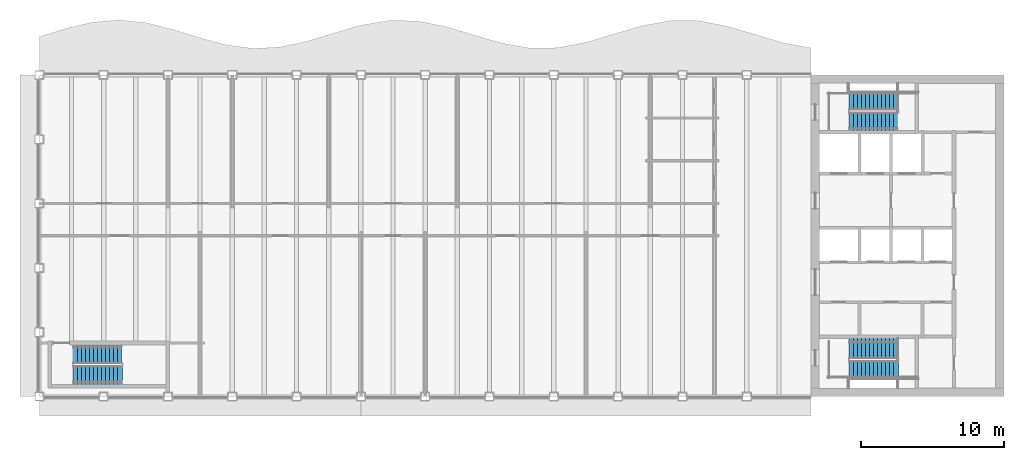
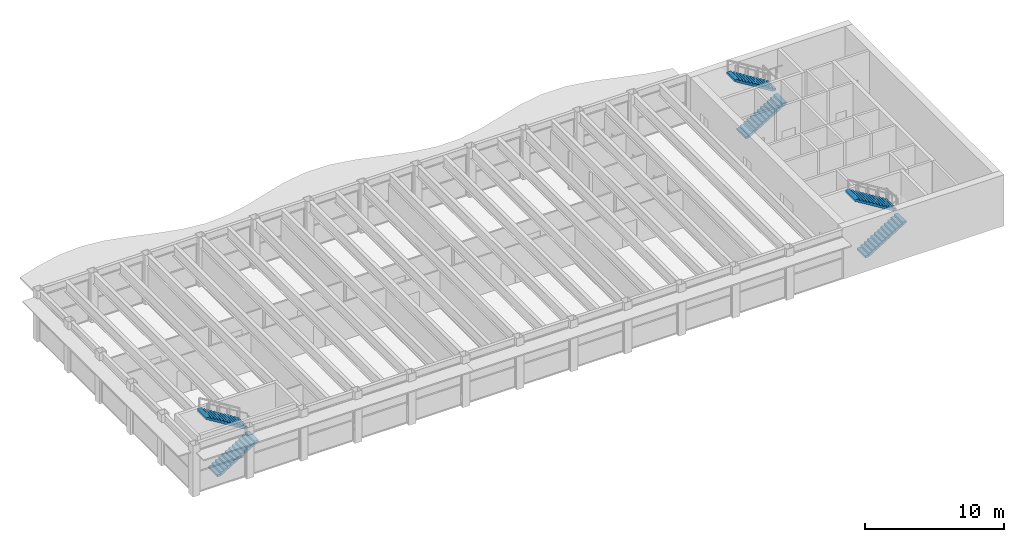
# One storey, part 12 of 15: 6 stair flights, 3 elements without a shape of their own.
"""IFC4 building model written with IfcOpenShell, lengths in metres."""

from ifc_helpers import new_model, si_unit, direction, frame, origin, place, context, subcontext, project, spatial, polyline, outline, extrude, material, type_object, element, aggregate, save


model = new_model("IFC4")

# Units and contexts
model_context = context("Model", 3, precision=1e-05, world=origin(), true_north=direction((0.0, 1.0)))
body_context = subcontext(model_context, "Body", "Model", "MODEL_VIEW")
ifc_project = project(units=[si_unit("LENGTHUNIT", "METRE"), si_unit("AREAUNIT", "SQUARE_METRE"), si_unit("VOLUMEUNIT", "CUBIC_METRE"), si_unit("PLANEANGLEUNIT", "RADIAN"), si_unit("MASSUNIT", "GRAM", prefix="KILO")], contexts=[model_context])

# Site, building, storey
site_placement = place(None, origin())
site = spatial("IfcSite", under=ifc_project, at=site_placement, CompositionType="ELEMENT")
building_placement = place(site_placement, origin())
building = spatial("IfcBuilding", under=site, at=building_placement, Name="Sennacour Bend Tower", CompositionType="ELEMENT")
storey_placement = place(building_placement, frame((0.0, 0.0, 323.0)))
storey = spatial("IfcBuildingStorey", under=building, at=storey_placement, Name="L74", CompositionType="ELEMENT", Elevation=323.0)

# Stair, stair flights
ifc_material = material(Name="Concrete C40/50", Category="concrete")
stair_type = type_object("IfcStairType", Name="ST-DOGLEG", PredefinedType="HALF_TURN_STAIR", material=ifc_material)
stair_1_placement = place(storey_placement, origin())
stair_1 = element("IfcStair", 1, at=stair_1_placement, inside=storey, type_object=stair_type, Name="L74 Exit stair A1", PredefinedType="HALF_TURN_STAIR")
stair_flight_type = type_object("IfcStairFlightType", Name="SFL-RC", PredefinedType="STRAIGHT", material=ifc_material)
stair_flight_1_placement = place(storey_placement, frame((56.699951171875, 1.89990234375, 0.0), z_axis=(0.0, 0.0, 1.0), x_axis=(1.0, 0.0, 0.0)))
stair_flight_1 = element("IfcStairFlight", 2, at=stair_flight_1_placement, type_object=stair_flight_type, Name="SA1 flight 1", NumberOfRisers=13, NumberOfTreads=12, PredefinedType="STRAIGHT", RiserHeight=0.173076923, TreadLength=0.28, context=body_context, shape_type="SweptSolid", body=[
    extrude(outline(polyline([(0.0, 0.0), (0.0, 0.173095703125), (0.280029296875, 0.173095703125), (0.280029296875, 0.34619140625), (0.56005859375, 0.34619140625), (0.56005859375, 0.519287109375), (0.840087890625, 0.519287109375), (0.840087890625, 0.6923828125), (1.1201171875, 0.6923828125), (1.1201171875, 0.865478515625), (1.39990234375, 0.865478515625), (1.39990234375, 1.03857421875), (1.679931640625, 1.03857421875), (1.679931640625, 1.21142578125), (1.9599609375, 1.21142578125), (1.9599609375, 1.384521484375), (2.239990234375, 1.384521484375), (2.239990234375, 1.5576171875), (2.52001953125, 1.5576171875), (2.52001953125, 1.730712890625), (2.800048828125, 1.730712890625), (2.800048828125, 1.90380859375), (3.080078125, 1.90380859375), (3.080078125, 2.076904296875), (3.360107421875, 2.076904296875), (3.419921875, 2.076904296875), (3.419921875, 1.900634765625), (3.360107421875, 1.900634765625), (0.28515625, 0.0), (0.0, 0.0)])), frame((0.0, 0.60009765625, 0.0), z_axis=(0.0, -1.0, 0.0), x_axis=(1.0, 0.0, 0.0)), (0.0, 0.0, 1.0), 1.199951171875),
])
stair_flight_2_placement = place(storey_placement, frame((60.06005859375, 3.37744140625, 2.25), z_axis=(0.0, 0.0, 1.0), x_axis=(-1.0, 0.0, 0.0)))
stair_flight_2 = element("IfcStairFlight", 3, at=stair_flight_2_placement, type_object=stair_flight_type, Name="SA1 flight 2", NumberOfRisers=13, NumberOfTreads=12, PredefinedType="STRAIGHT", RiserHeight=0.173076923, TreadLength=0.28, context=body_context, shape_type="SweptSolid", body=[
    extrude(outline(polyline([(0.0, 0.0), (0.0, 0.173095703125), (0.280029296875, 0.173095703125), (0.280029296875, 0.34619140625), (0.56005859375, 0.34619140625), (0.56005859375, 0.519287109375), (0.840087890625, 0.519287109375), (0.840087890625, 0.6923828125), (1.1201171875, 0.6923828125), (1.1201171875, 0.865478515625), (1.39990234375, 0.865478515625), (1.39990234375, 1.03857421875), (1.679931640625, 1.03857421875), (1.679931640625, 1.21142578125), (1.9599609375, 1.21142578125), (1.9599609375, 1.384521484375), (2.239990234375, 1.384521484375), (2.239990234375, 1.5576171875), (2.52001953125, 1.5576171875), (2.52001953125, 1.730712890625), (2.800048828125, 1.730712890625), (2.800048828125, 1.90380859375), (3.080078125, 1.90380859375), (3.080078125, 2.076904296875), (3.360107421875, 2.076904296875), (3.419921875, 2.076904296875), (3.419921875, 1.900634765625), (3.360107421875, 1.900634765625), (0.28515625, 0.0), (0.0, 0.0)])), frame((0.0, 0.7275390625, 0.0), z_axis=(0.0, -1.0, 0.0), x_axis=(1.0, 0.0, 0.0)), (0.0, 0.0, 1.0), 1.455078125),
])
aggregate(stair_1, [stair_flight_1, stair_flight_2])

stair_2_placement = place(storey_placement, origin())
stair_2 = element("IfcStair", 4, at=stair_2_placement, inside=storey, type_object=stair_type, Name="L74 Exit stair A2", PredefinedType="HALF_TURN_STAIR")
stair_flight_3_placement = place(storey_placement, frame((56.699951171875, 19.24755859375, 0.0), z_axis=(0.0, 0.0, 1.0), x_axis=(1.0, 0.0, 0.0)))
stair_flight_3 = element("IfcStairFlight", 5, at=stair_flight_3_placement, type_object=stair_flight_type, Name="SA2 flight 1", NumberOfRisers=13, NumberOfTreads=12, PredefinedType="STRAIGHT", RiserHeight=0.173076923, TreadLength=0.28, context=body_context, shape_type="SweptSolid", body=[
    extrude(outline(polyline([(0.0, 0.0), (0.0, 0.173095703125), (0.280029296875, 0.173095703125), (0.280029296875, 0.34619140625), (0.56005859375, 0.34619140625), (0.56005859375, 0.519287109375), (0.840087890625, 0.519287109375), (0.840087890625, 0.6923828125), (1.1201171875, 0.6923828125), (1.1201171875, 0.865478515625), (1.39990234375, 0.865478515625), (1.39990234375, 1.03857421875), (1.679931640625, 1.03857421875), (1.679931640625, 1.21142578125), (1.9599609375, 1.21142578125), (1.9599609375, 1.384521484375), (2.239990234375, 1.384521484375), (2.239990234375, 1.5576171875), (2.52001953125, 1.5576171875), (2.52001953125, 1.730712890625), (2.800048828125, 1.730712890625), (2.800048828125, 1.90380859375), (3.080078125, 1.90380859375), (3.080078125, 2.076904296875), (3.360107421875, 2.076904296875), (3.419921875, 2.076904296875), (3.419921875, 1.900634765625), (3.360107421875, 1.900634765625), (0.28515625, 0.0), (0.0, 0.0)])), frame((0.0, 0.65234375, 0.0), z_axis=(0.0, -1.0, 0.0), x_axis=(1.0, 0.0, 0.0)), (0.0, 0.0, 1.0), 1.304931640625),
])
stair_flight_4_placement = place(storey_placement, frame((60.06005859375, 20.64990234375, 2.25), z_axis=(0.0, 0.0, 1.0), x_axis=(-1.0, 0.0, 0.0)))
stair_flight_4 = element("IfcStairFlight", 6, at=stair_flight_4_placement, type_object=stair_flight_type, Name="SA2 flight 2", NumberOfRisers=13, NumberOfTreads=12, PredefinedType="STRAIGHT", RiserHeight=0.173076923, TreadLength=0.28, context=body_context, shape_type="SweptSolid", body=[
    extrude(outline(polyline([(0.0, 0.0), (0.0, 0.173095703125), (0.280029296875, 0.173095703125), (0.280029296875, 0.34619140625), (0.56005859375, 0.34619140625), (0.56005859375, 0.519287109375), (0.840087890625, 0.519287109375), (0.840087890625, 0.6923828125), (1.1201171875, 0.6923828125), (1.1201171875, 0.865478515625), (1.39990234375, 0.865478515625), (1.39990234375, 1.03857421875), (1.679931640625, 1.03857421875), (1.679931640625, 1.21142578125), (1.9599609375, 1.21142578125), (1.9599609375, 1.384521484375), (2.239990234375, 1.384521484375), (2.239990234375, 1.5576171875), (2.52001953125, 1.5576171875), (2.52001953125, 1.730712890625), (2.800048828125, 1.730712890625), (2.800048828125, 1.90380859375), (3.080078125, 1.90380859375), (3.080078125, 2.076904296875), (3.360107421875, 2.076904296875), (3.419921875, 2.076904296875), (3.419921875, 1.900634765625), (3.360107421875, 1.900634765625), (0.28515625, 0.0), (0.0, 0.0)])), frame((0.0, 0.60009765625, 0.0), z_axis=(0.0, -1.0, 0.0), x_axis=(1.0, 0.0, 0.0)), (0.0, 0.0, 1.0), 1.199951171875),
])
aggregate(stair_2, [stair_flight_3, stair_flight_4])

stair_3_placement = place(storey_placement, origin())
stair_3 = element("IfcStair", 7, at=stair_3_placement, inside=storey, type_object=stair_type, Name="L74 Exit stair K1", PredefinedType="HALF_TURN_STAIR")
stair_flight_5_placement = place(storey_placement, frame((2.39990234375, 1.485107421875, 0.0), z_axis=(0.0, 0.0, 1.0), x_axis=(1.0, 0.0, 0.0)))
stair_flight_5 = element("IfcStairFlight", 8, at=stair_flight_5_placement, type_object=stair_flight_type, Name="SK1 flight 1", NumberOfRisers=13, NumberOfTreads=12, PredefinedType="STRAIGHT", RiserHeight=0.173076923, TreadLength=0.28, context=body_context, shape_type="SweptSolid", body=[
    extrude(outline(polyline([(0.0, 0.0), (0.0, 0.173095703125), (0.280029296875, 0.173095703125), (0.280029296875, 0.34619140625), (0.56005859375, 0.34619140625), (0.56005859375, 0.519287109375), (0.840087890625, 0.519287109375), (0.840087890625, 0.6923828125), (1.1201171875, 0.6923828125), (1.1201171875, 0.865478515625), (1.39990234375, 0.865478515625), (1.39990234375, 1.03857421875), (1.679931640625, 1.03857421875), (1.679931640625, 1.21142578125), (1.9599609375, 1.21142578125), (1.9599609375, 1.384521484375), (2.239990234375, 1.384521484375), (2.239990234375, 1.5576171875), (2.52001953125, 1.5576171875), (2.52001953125, 1.730712890625), (2.800048828125, 1.730712890625), (2.800048828125, 1.90380859375), (3.080078125, 1.90380859375), (3.080078125, 2.076904296875), (3.360107421875, 2.076904296875), (3.419921875, 2.076904296875), (3.419921875, 1.900634765625), (3.360107421875, 1.900634765625), (0.28515625, 0.0), (0.0, 0.0)])), frame((0.0, 0.6650390625, 0.0), z_axis=(0.0, -1.0, 0.0), x_axis=(1.0, 0.0, 0.0)), (0.0, 0.0, 1.0), 1.330078125),
])
stair_flight_6_placement = place(storey_placement, frame((5.760009765625, 2.9775390625, 2.25), z_axis=(0.0, 0.0, 1.0), x_axis=(-1.0, 0.0, 0.0)))
stair_flight_6 = element("IfcStairFlight", 9, at=stair_flight_6_placement, type_object=stair_flight_type, Name="SK1 flight 2", NumberOfRisers=13, NumberOfTreads=12, PredefinedType="STRAIGHT", RiserHeight=0.173076923, TreadLength=0.28, context=body_context, shape_type="SweptSolid", body=[
    extrude(outline(polyline([(0.0, 0.0), (0.0, 0.173095703125), (0.280029296875, 0.173095703125), (0.280029296875, 0.34619140625), (0.56005859375, 0.34619140625), (0.56005859375, 0.519287109375), (0.840087890625, 0.519287109375), (0.840087890625, 0.6923828125), (1.1201171875, 0.6923828125), (1.1201171875, 0.865478515625), (1.39990234375, 0.865478515625), (1.39990234375, 1.03857421875), (1.679931640625, 1.03857421875), (1.679931640625, 1.21142578125), (1.9599609375, 1.21142578125), (1.9599609375, 1.384521484375), (2.239990234375, 1.384521484375), (2.239990234375, 1.5576171875), (2.52001953125, 1.5576171875), (2.52001953125, 1.730712890625), (2.800048828125, 1.730712890625), (2.800048828125, 1.90380859375), (3.080078125, 1.90380859375), (3.080078125, 2.076904296875), (3.360107421875, 2.076904296875), (3.419921875, 2.076904296875), (3.419921875, 1.900634765625), (3.360107421875, 1.900634765625), (0.28515625, 0.0), (0.0, 0.0)])), frame((0.0, 0.677490234375, 0.0), z_axis=(0.0, -1.0, 0.0), x_axis=(1.0, 0.0, 0.0)), (0.0, 0.0, 1.0), 1.35498046875),
])
aggregate(stair_3, [stair_flight_5, stair_flight_6])

save(model, "model.ifc")
